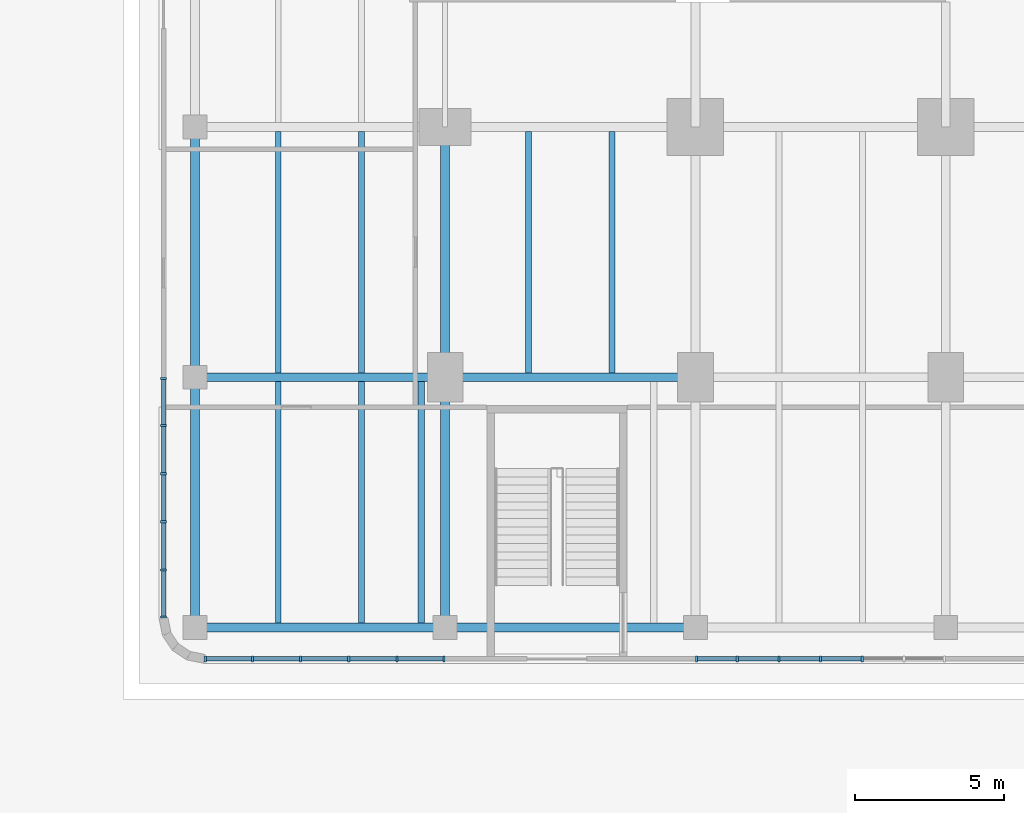
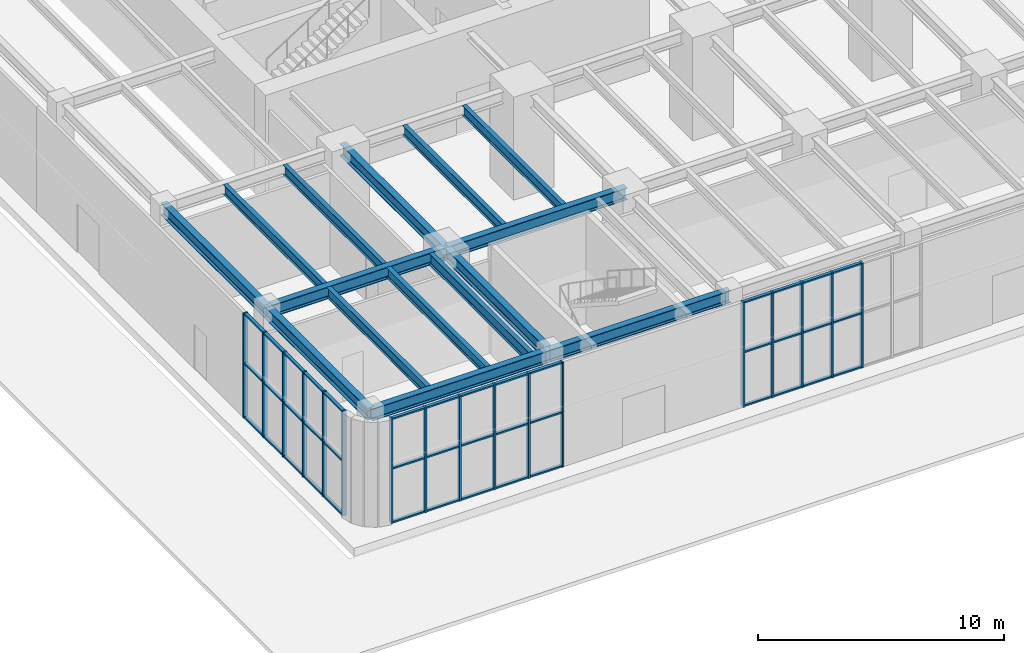
# One storey, part 2 of 31: 59 members, 15 beams, 3 elements without a shape of their own.
"""IFC4 building model written with IfcOpenShell, lengths in metres."""

from ifc_helpers import new_model, si_unit, direction, frame, origin, origin_2d, place, context, subcontext, project, spatial, rectangle, i_section, extrude, material, material_profile, profile_set, type_object, element, aggregate, save


model = new_model("IFC4")

# Units and contexts
model_context = context("Model", 3, precision=1e-05, world=origin(), true_north=direction((0.0, 1.0)))
body_context = subcontext(model_context, "Body", "Model", "MODEL_VIEW")
ifc_project = project(units=[si_unit("LENGTHUNIT", "METRE"), si_unit("AREAUNIT", "SQUARE_METRE"), si_unit("VOLUMEUNIT", "CUBIC_METRE"), si_unit("PLANEANGLEUNIT", "RADIAN"), si_unit("MASSUNIT", "GRAM", prefix="KILO")], contexts=[model_context])

# Site, building, storey
site_placement = place(None, origin())
site = spatial("IfcSite", under=ifc_project, at=site_placement, CompositionType="ELEMENT")
building_placement = place(site_placement, origin())
building = spatial("IfcBuilding", under=site, at=building_placement, Name="Claustro Exchange Tower", CompositionType="ELEMENT")
storey_placement = place(building_placement, origin())
storey = spatial("IfcBuildingStorey", under=building, at=storey_placement, Name="L00", CompositionType="ELEMENT", Elevation=0.0)

# Beams
ifc_material_1 = material(Name="Steel S355", Category="steel")
ifc_material_profile_1 = material_profile(ifc_material_1, i_section(OverallWidth=0.300048828125, OverallDepth=0.60009765625, WebThickness=0.015380859375, FlangeThickness=0.030029296875, FilletRadius=0.027099609375, at=origin_2d()), Name="HE 600 B")
ifc_profile_set_1 = profile_set([ifc_material_profile_1], Name="Steel S355")
beam_type_1 = type_object("IfcBeamType", Name="B1 HE 600 B floor girder", PredefinedType="BEAM", material=ifc_profile_set_1)
for number, where, z_axis, x_axis, name in (
    (1, (-8.39990234375, -8.39990234375, 4.89990234375), (0.0, 1.0, 0.0), (-1.0, 0.0, 0.0), "Beam B1 L01"),
    (2, (-8.39990234375, 0.0, 4.89990234375), (0.0, 1.0, 0.0), (-1.0, 0.0, 0.0), "Beam B1 L01"),
    (3, (0.0, -8.39990234375, 4.89990234375), (0.0, 1.0, 0.0), (-1.0, 0.0, 0.0), "Beam B1 L01"),
    (4, (0.0, 0.0, 4.89990234375), (0.0, 1.0, 0.0), (-1.0, 0.0, 0.0), "Beam B1 L01"),
    (5, (-8.39990234375, -8.39990234375, 4.89990234375), (1.0, 0.0, 0.0), (0.0, 1.0, 0.0), "Beam B1 L01"),
    (6, (0.0, -8.39990234375, 4.89990234375), (1.0, 0.0, 0.0), (0.0, 1.0, 0.0), "Beam B1 L01"),
    (7, (-8.39990234375, 0.0, 4.89990234375), (1.0, 0.0, 0.0), (0.0, 1.0, 0.0), "Beam B1 L01"),
    (8, (0.0, 0.0, 4.89990234375), (1.0, 0.0, 0.0), (0.0, 1.0, 0.0), "Beam B1 L01"),
):
    element("IfcBeam", number, at=place(storey_placement, frame(where, z_axis=z_axis, x_axis=x_axis)), inside=storey, type_object=beam_type_1, Name=name, PredefinedType="BEAM", context=body_context, shape_type="SweptSolid", body=[
        extrude(i_section(OverallWidth=0.300048828125, OverallDepth=0.60009765625, WebThickness=0.015380859375, FlangeThickness=0.030029296875, FilletRadius=0.027099609375, at=origin_2d()), origin(), (0.0, 0.0, 1.0), 8.39990234375),
    ])
ifc_material_2 = material(Name="Steel S355", Category="steel")
ifc_material_profile_2 = material_profile(ifc_material_2, i_section(OverallWidth=0.199951171875, OverallDepth=0.5, WebThickness=0.01025390625, FlangeThickness=0.01611328125, FilletRadius=0.02099609375, at=origin_2d()), Name="IPE 500")
ifc_profile_set_2 = profile_set([ifc_material_profile_2], Name="Steel S355")
beam_type_2 = type_object("IfcBeamType", Name="B2 IPE 500 secondary beam", PredefinedType="BEAM", material=ifc_profile_set_2)
for number, where, z_axis, x_axis, name in (
    (9, (-5.60009765625, -8.25, 4.949951171875), (0.0, 1.0, 0.0), (-1.0, 0.0, 0.0), "Beam B2 L01"),
    (10, (-2.800048828125, -8.25, 4.949951171875), (0.0, 1.0, 0.0), (-1.0, 0.0, 0.0), "Beam B2 L01"),
    (11, (-5.60009765625, 0.14990234375, 4.949951171875), (0.0, 1.0, 0.0), (-1.0, 0.0, 0.0), "Beam B2 L01"),
    (12, (-2.800048828125, 0.14990234375, 4.949951171875), (0.0, 1.0, 0.0), (-1.0, 0.0, 0.0), "Beam B2 L01"),
    (13, (2.800048828125, 0.14990234375, 4.949951171875), (0.0, 1.0, 0.0), (-1.0, 0.0, 0.0), "Beam B2 L01"),
    (14, (5.60009765625, 0.14990234375, 4.949951171875), (0.0, 1.0, 0.0), (-1.0, 0.0, 0.0), "Beam B2 L01"),
):
    element("IfcBeam", number, at=place(storey_placement, frame(where, z_axis=z_axis, x_axis=x_axis)), inside=storey, type_object=beam_type_2, Name=name, PredefinedType="BEAM", context=body_context, shape_type="SweptSolid", body=[
        extrude(i_section(OverallWidth=0.199951171875, OverallDepth=0.5, WebThickness=0.01025390625, FlangeThickness=0.01611328125, FilletRadius=0.02099609375, at=origin_2d()), origin(), (0.0, 0.0, 1.0), 8.10009765625),
    ])
ifc_material_3 = material(Name="Steel S355", Category="steel")
ifc_material_profile_3 = material_profile(ifc_material_3, i_section(OverallWidth=0.2099609375, OverallDepth=0.550048828125, WebThickness=0.010986328125, FlangeThickness=0.01708984375, FilletRadius=0.02392578125, at=origin_2d()), Name="IPE 550")
ifc_profile_set_3 = profile_set([ifc_material_profile_3], Name="Steel S355")
beam_type_3 = type_object("IfcBeamType", Name="B28 IPE 550 podium stair trimmer", PredefinedType="BEAM", material=ifc_profile_set_3)
beam_placement = place(storey_placement, frame((-0.800048828125, -8.25, 4.925048828125), z_axis=(0.0, 1.0, 0.0), x_axis=(-1.0, 0.0, 0.0)))
element("IfcBeam", 15, at=beam_placement, inside=storey, type_object=beam_type_3, Name="Beam B28 trimmer STP1 L01", PredefinedType="BEAM", context=body_context, shape_type="SweptSolid", body=[
    extrude(i_section(OverallWidth=0.2099609375, OverallDepth=0.550048828125, WebThickness=0.010986328125, FlangeThickness=0.01708984375, FilletRadius=0.02392578125, at=origin_2d()), origin(), (0.0, 0.0, 1.0), 8.10009765625),
])

# Curtain wall, members
ifc_material_4 = material(Name="Aluminium frame, clear double glazing", Category="aluminium")
curtain_wall_type = type_object("IfcCurtainWallType", Name="CW1 storefront curtain wall", PredefinedType="USERDEFINED", material=ifc_material_4)
curtain_wall_1_placement = place(storey_placement, origin())
curtain_wall_1 = element("IfcCurtainWall", 16, at=curtain_wall_1_placement, inside=storey, type_object=curtain_wall_type, Name="Curtain wall CW1 L00", ObjectType="STICK CURTAIN WALL", PredefinedType="USERDEFINED")
ifc_material_5 = material(Name="Aluminium mullion", Category="aluminium")
ifc_material_profile_4 = material_profile(ifc_material_5, rectangle(XDim=0.199951171875, YDim=0.074951171875, at=origin_2d()), Name="CW1-M 75x200")
ifc_profile_set_4 = profile_set([ifc_material_profile_4], Name="Aluminium mullion")
member_type_1 = type_object("IfcMemberType", Name="CW1-M 75 x 200 mullion", PredefinedType="MULLION", material=ifc_profile_set_4)
member_1_placement = place(storey_placement, frame((-8.047607421875, -9.449951171875, 0.0), z_axis=(0.0, 0.0, 1.0), x_axis=(0.0, 1.0, 0.0)))
member_1 = element("IfcMember", 17, at=member_1_placement, type_object=member_type_1, Name="CW1 mullion 1", PredefinedType="MULLION", context=body_context, shape_type="SweptSolid", body=[
    extrude(rectangle(XDim=0.199951171875, YDim=0.074951171875, at=origin_2d()), origin(), (0.0, 0.0, 1.0), 5.199951171875),
])
member_2_placement = place(storey_placement, frame((-6.46826171875, -9.449951171875, 0.0), z_axis=(0.0, 0.0, 1.0), x_axis=(0.0, 1.0, 0.0)))
member_2 = element("IfcMember", 18, at=member_2_placement, type_object=member_type_1, Name="CW1 mullion 2", PredefinedType="MULLION", context=body_context, shape_type="SweptSolid", body=[
    extrude(rectangle(XDim=0.199951171875, YDim=0.074951171875, at=origin_2d()), origin(), (0.0, 0.0, 1.0), 5.199951171875),
])
member_3_placement = place(storey_placement, frame((-4.85107421875, -9.449951171875, 0.0), z_axis=(0.0, 0.0, 1.0), x_axis=(0.0, 1.0, 0.0)))
member_3 = element("IfcMember", 19, at=member_3_placement, type_object=member_type_1, Name="CW1 mullion 3", PredefinedType="MULLION", context=body_context, shape_type="SweptSolid", body=[
    extrude(rectangle(XDim=0.199951171875, YDim=0.074951171875, at=origin_2d()), origin(), (0.0, 0.0, 1.0), 5.199951171875),
])
member_4_placement = place(storey_placement, frame((-3.234130859375, -9.449951171875, 0.0), z_axis=(0.0, 0.0, 1.0), x_axis=(0.0, 1.0, 0.0)))
member_4 = element("IfcMember", 20, at=member_4_placement, type_object=member_type_1, Name="CW1 mullion 4", PredefinedType="MULLION", context=body_context, shape_type="SweptSolid", body=[
    extrude(rectangle(XDim=0.199951171875, YDim=0.074951171875, at=origin_2d()), origin(), (0.0, 0.0, 1.0), 5.199951171875),
])
member_5_placement = place(storey_placement, frame((-1.616943359375, -9.449951171875, 0.0), z_axis=(0.0, 0.0, 1.0), x_axis=(0.0, 1.0, 0.0)))
member_5 = element("IfcMember", 21, at=member_5_placement, type_object=member_type_1, Name="CW1 mullion 5", PredefinedType="MULLION", context=body_context, shape_type="SweptSolid", body=[
    extrude(rectangle(XDim=0.199951171875, YDim=0.074951171875, at=origin_2d()), origin(), (0.0, 0.0, 1.0), 5.199951171875),
])
member_6_placement = place(storey_placement, frame((-0.03759765625, -9.449951171875, 0.0), z_axis=(0.0, 0.0, 1.0), x_axis=(0.0, 1.0, 0.0)))
member_6 = element("IfcMember", 22, at=member_6_placement, type_object=member_type_1, Name="CW1 mullion 6", PredefinedType="MULLION", context=body_context, shape_type="SweptSolid", body=[
    extrude(rectangle(XDim=0.199951171875, YDim=0.074951171875, at=origin_2d()), origin(), (0.0, 0.0, 1.0), 5.199951171875),
])

curtain_wall_2_placement = place(storey_placement, origin())
curtain_wall_2 = element("IfcCurtainWall", 23, at=curtain_wall_2_placement, inside=storey, type_object=curtain_wall_type, Name="Curtain wall CW1 L00", ObjectType="STICK CURTAIN WALL", PredefinedType="USERDEFINED")
member_7_placement = place(storey_placement, frame((8.4375, -9.449951171875, 0.0), z_axis=(0.0, 0.0, 1.0), x_axis=(0.0, 1.0, 0.0)))
member_7 = element("IfcMember", 24, at=member_7_placement, type_object=member_type_1, Name="CW1 mullion 1", PredefinedType="MULLION", context=body_context, shape_type="SweptSolid", body=[
    extrude(rectangle(XDim=0.199951171875, YDim=0.074951171875, at=origin_2d()), origin(), (0.0, 0.0, 1.0), 5.199951171875),
])
member_8_placement = place(storey_placement, frame((9.800048828125, -9.449951171875, 0.0), z_axis=(0.0, 0.0, 1.0), x_axis=(0.0, 1.0, 0.0)))
member_8 = element("IfcMember", 25, at=member_8_placement, type_object=member_type_1, Name="CW1 mullion 2", PredefinedType="MULLION", context=body_context, shape_type="SweptSolid", body=[
    extrude(rectangle(XDim=0.199951171875, YDim=0.074951171875, at=origin_2d()), origin(), (0.0, 0.0, 1.0), 5.199951171875),
])
member_9_placement = place(storey_placement, frame((11.199951171875, -9.449951171875, 0.0), z_axis=(0.0, 0.0, 1.0), x_axis=(0.0, 1.0, 0.0)))
member_9 = element("IfcMember", 26, at=member_9_placement, type_object=member_type_1, Name="CW1 mullion 3", PredefinedType="MULLION", context=body_context, shape_type="SweptSolid", body=[
    extrude(rectangle(XDim=0.199951171875, YDim=0.074951171875, at=origin_2d()), origin(), (0.0, 0.0, 1.0), 5.199951171875),
])
member_10_placement = place(storey_placement, frame((12.60009765625, -9.449951171875, 0.0), z_axis=(0.0, 0.0, 1.0), x_axis=(0.0, 1.0, 0.0)))
member_10 = element("IfcMember", 27, at=member_10_placement, type_object=member_type_1, Name="CW1 mullion 4", PredefinedType="MULLION", context=body_context, shape_type="SweptSolid", body=[
    extrude(rectangle(XDim=0.199951171875, YDim=0.074951171875, at=origin_2d()), origin(), (0.0, 0.0, 1.0), 5.199951171875),
])
member_11_placement = place(storey_placement, frame((14.0, -9.449951171875, 0.0), z_axis=(0.0, 0.0, 1.0), x_axis=(0.0, 1.0, 0.0)))
member_11 = element("IfcMember", 28, at=member_11_placement, type_object=member_type_1, Name="CW1 mullion 5", PredefinedType="MULLION", context=body_context, shape_type="SweptSolid", body=[
    extrude(rectangle(XDim=0.199951171875, YDim=0.074951171875, at=origin_2d()), origin(), (0.0, 0.0, 1.0), 5.199951171875),
])

curtain_wall_3_placement = place(storey_placement, origin())
curtain_wall_3 = element("IfcCurtainWall", 29, at=curtain_wall_3_placement, inside=storey, type_object=curtain_wall_type, Name="Curtain wall CW1 L00", ObjectType="STICK CURTAIN WALL", PredefinedType="USERDEFINED")
member_12_placement = place(storey_placement, frame((-9.449951171875, -8.047607421875, 0.0), z_axis=(0.0, 0.0, 1.0), x_axis=(-1.0, 0.0, 0.0)))
member_12 = element("IfcMember", 30, at=member_12_placement, type_object=member_type_1, Name="CW1 mullion 1", PredefinedType="MULLION", context=body_context, shape_type="SweptSolid", body=[
    extrude(rectangle(XDim=0.199951171875, YDim=0.074951171875, at=origin_2d()), origin(), (0.0, 0.0, 1.0), 5.199951171875),
])
member_13_placement = place(storey_placement, frame((-9.449951171875, -6.46826171875, 0.0), z_axis=(0.0, 0.0, 1.0), x_axis=(-1.0, 0.0, 0.0)))
member_13 = element("IfcMember", 31, at=member_13_placement, type_object=member_type_1, Name="CW1 mullion 2", PredefinedType="MULLION", context=body_context, shape_type="SweptSolid", body=[
    extrude(rectangle(XDim=0.199951171875, YDim=0.074951171875, at=origin_2d()), origin(), (0.0, 0.0, 1.0), 5.199951171875),
])
member_14_placement = place(storey_placement, frame((-9.449951171875, -4.85107421875, 0.0), z_axis=(0.0, 0.0, 1.0), x_axis=(-1.0, 0.0, 0.0)))
member_14 = element("IfcMember", 32, at=member_14_placement, type_object=member_type_1, Name="CW1 mullion 3", PredefinedType="MULLION", context=body_context, shape_type="SweptSolid", body=[
    extrude(rectangle(XDim=0.199951171875, YDim=0.074951171875, at=origin_2d()), origin(), (0.0, 0.0, 1.0), 5.199951171875),
])
member_15_placement = place(storey_placement, frame((-9.449951171875, -3.234130859375, 0.0), z_axis=(0.0, 0.0, 1.0), x_axis=(-1.0, 0.0, 0.0)))
member_15 = element("IfcMember", 33, at=member_15_placement, type_object=member_type_1, Name="CW1 mullion 4", PredefinedType="MULLION", context=body_context, shape_type="SweptSolid", body=[
    extrude(rectangle(XDim=0.199951171875, YDim=0.074951171875, at=origin_2d()), origin(), (0.0, 0.0, 1.0), 5.199951171875),
])
member_16_placement = place(storey_placement, frame((-9.449951171875, -1.616943359375, 0.0), z_axis=(0.0, 0.0, 1.0), x_axis=(-1.0, 0.0, 0.0)))
member_16 = element("IfcMember", 34, at=member_16_placement, type_object=member_type_1, Name="CW1 mullion 5", PredefinedType="MULLION", context=body_context, shape_type="SweptSolid", body=[
    extrude(rectangle(XDim=0.199951171875, YDim=0.074951171875, at=origin_2d()), origin(), (0.0, 0.0, 1.0), 5.199951171875),
])
member_17_placement = place(storey_placement, frame((-9.449951171875, -0.03759765625, 0.0), z_axis=(0.0, 0.0, 1.0), x_axis=(-1.0, 0.0, 0.0)))
member_17 = element("IfcMember", 35, at=member_17_placement, type_object=member_type_1, Name="CW1 mullion 6", PredefinedType="MULLION", context=body_context, shape_type="SweptSolid", body=[
    extrude(rectangle(XDim=0.199951171875, YDim=0.074951171875, at=origin_2d()), origin(), (0.0, 0.0, 1.0), 5.199951171875),
])

# Member
ifc_material_6 = material(Name="Aluminium transom", Category="aluminium")
ifc_material_profile_5 = material_profile(ifc_material_6, rectangle(XDim=0.14990234375, YDim=0.074951171875, at=origin_2d()), Name="CW1-T 75x150")
ifc_profile_set_5 = profile_set([ifc_material_profile_5], Name="Aluminium transom")
member_type_2 = type_object("IfcMemberType", Name="CW1-T 75 x 150 transom", PredefinedType="USERDEFINED", material=ifc_profile_set_5)
member_18_placement = place(storey_placement, frame((-8.01025390625, -9.449951171875, 0.03759765625), z_axis=(1.0, 0.0, 0.0), x_axis=(0.0, 1.0, 0.0)))
member_18 = element("IfcMember", 36, at=member_18_placement, type_object=member_type_2, Name="CW1 transom 1.1", ObjectType="TRANSOM", PredefinedType="USERDEFINED", context=body_context, shape_type="SweptSolid", body=[
    extrude(rectangle(XDim=0.14990234375, YDim=0.074951171875, at=origin_2d()), origin(), (0.0, 0.0, 1.0), 1.504638671875),
])

member_19_placement = place(storey_placement, frame((-8.01025390625, -9.449951171875, 2.699951171875), z_axis=(1.0, 0.0, 0.0), x_axis=(0.0, 1.0, 0.0)))
member_19 = element("IfcMember", 37, at=member_19_placement, type_object=member_type_2, Name="CW1 transom 1.2", ObjectType="TRANSOM", PredefinedType="USERDEFINED", context=body_context, shape_type="SweptSolid", body=[
    extrude(rectangle(XDim=0.14990234375, YDim=0.074951171875, at=origin_2d()), origin(), (0.0, 0.0, 1.0), 1.504638671875),
])

member_20_placement = place(storey_placement, frame((-8.01025390625, -9.449951171875, 5.16259765625), z_axis=(1.0, 0.0, 0.0), x_axis=(0.0, 1.0, 0.0)))
member_20 = element("IfcMember", 38, at=member_20_placement, type_object=member_type_2, Name="CW1 transom 1.3", ObjectType="TRANSOM", PredefinedType="USERDEFINED", context=body_context, shape_type="SweptSolid", body=[
    extrude(rectangle(XDim=0.14990234375, YDim=0.074951171875, at=origin_2d()), origin(), (0.0, 0.0, 1.0), 1.504638671875),
])

member_21_placement = place(storey_placement, frame((-6.4306640625, -9.449951171875, 0.03759765625), z_axis=(1.0, 0.0, 0.0), x_axis=(0.0, 1.0, 0.0)))
member_21 = element("IfcMember", 39, at=member_21_placement, type_object=member_type_2, Name="CW1 transom 2.1", ObjectType="TRANSOM", PredefinedType="USERDEFINED", context=body_context, shape_type="SweptSolid", body=[
    extrude(rectangle(XDim=0.14990234375, YDim=0.074951171875, at=origin_2d()), origin(), (0.0, 0.0, 1.0), 1.5419921875),
])

member_22_placement = place(storey_placement, frame((-6.4306640625, -9.449951171875, 2.699951171875), z_axis=(1.0, 0.0, 0.0), x_axis=(0.0, 1.0, 0.0)))
member_22 = element("IfcMember", 40, at=member_22_placement, type_object=member_type_2, Name="CW1 transom 2.2", ObjectType="TRANSOM", PredefinedType="USERDEFINED", context=body_context, shape_type="SweptSolid", body=[
    extrude(rectangle(XDim=0.14990234375, YDim=0.074951171875, at=origin_2d()), origin(), (0.0, 0.0, 1.0), 1.5419921875),
])

member_23_placement = place(storey_placement, frame((-6.4306640625, -9.449951171875, 5.16259765625), z_axis=(1.0, 0.0, 0.0), x_axis=(0.0, 1.0, 0.0)))
member_23 = element("IfcMember", 41, at=member_23_placement, type_object=member_type_2, Name="CW1 transom 2.3", ObjectType="TRANSOM", PredefinedType="USERDEFINED", context=body_context, shape_type="SweptSolid", body=[
    extrude(rectangle(XDim=0.14990234375, YDim=0.074951171875, at=origin_2d()), origin(), (0.0, 0.0, 1.0), 1.5419921875),
])

member_24_placement = place(storey_placement, frame((-4.813720703125, -9.449951171875, 0.03759765625), z_axis=(1.0, 0.0, 0.0), x_axis=(0.0, 1.0, 0.0)))
member_24 = element("IfcMember", 42, at=member_24_placement, type_object=member_type_2, Name="CW1 transom 3.1", ObjectType="TRANSOM", PredefinedType="USERDEFINED", context=body_context, shape_type="SweptSolid", body=[
    extrude(rectangle(XDim=0.14990234375, YDim=0.074951171875, at=origin_2d()), origin(), (0.0, 0.0, 1.0), 1.542236328125),
])

member_25_placement = place(storey_placement, frame((-4.813720703125, -9.449951171875, 2.699951171875), z_axis=(1.0, 0.0, 0.0), x_axis=(0.0, 1.0, 0.0)))
member_25 = element("IfcMember", 43, at=member_25_placement, type_object=member_type_2, Name="CW1 transom 3.2", ObjectType="TRANSOM", PredefinedType="USERDEFINED", context=body_context, shape_type="SweptSolid", body=[
    extrude(rectangle(XDim=0.14990234375, YDim=0.074951171875, at=origin_2d()), origin(), (0.0, 0.0, 1.0), 1.542236328125),
])

member_26_placement = place(storey_placement, frame((-4.813720703125, -9.449951171875, 5.16259765625), z_axis=(1.0, 0.0, 0.0), x_axis=(0.0, 1.0, 0.0)))
member_26 = element("IfcMember", 44, at=member_26_placement, type_object=member_type_2, Name="CW1 transom 3.3", ObjectType="TRANSOM", PredefinedType="USERDEFINED", context=body_context, shape_type="SweptSolid", body=[
    extrude(rectangle(XDim=0.14990234375, YDim=0.074951171875, at=origin_2d()), origin(), (0.0, 0.0, 1.0), 1.542236328125),
])

member_27_placement = place(storey_placement, frame((-3.196533203125, -9.449951171875, 0.03759765625), z_axis=(1.0, 0.0, 0.0), x_axis=(0.0, 1.0, 0.0)))
member_27 = element("IfcMember", 45, at=member_27_placement, type_object=member_type_2, Name="CW1 transom 4.1", ObjectType="TRANSOM", PredefinedType="USERDEFINED", context=body_context, shape_type="SweptSolid", body=[
    extrude(rectangle(XDim=0.14990234375, YDim=0.074951171875, at=origin_2d()), origin(), (0.0, 0.0, 1.0), 1.5419921875),
])

member_28_placement = place(storey_placement, frame((-3.196533203125, -9.449951171875, 2.699951171875), z_axis=(1.0, 0.0, 0.0), x_axis=(0.0, 1.0, 0.0)))
member_28 = element("IfcMember", 46, at=member_28_placement, type_object=member_type_2, Name="CW1 transom 4.2", ObjectType="TRANSOM", PredefinedType="USERDEFINED", context=body_context, shape_type="SweptSolid", body=[
    extrude(rectangle(XDim=0.14990234375, YDim=0.074951171875, at=origin_2d()), origin(), (0.0, 0.0, 1.0), 1.5419921875),
])

member_29_placement = place(storey_placement, frame((-3.196533203125, -9.449951171875, 5.16259765625), z_axis=(1.0, 0.0, 0.0), x_axis=(0.0, 1.0, 0.0)))
member_29 = element("IfcMember", 47, at=member_29_placement, type_object=member_type_2, Name="CW1 transom 4.3", ObjectType="TRANSOM", PredefinedType="USERDEFINED", context=body_context, shape_type="SweptSolid", body=[
    extrude(rectangle(XDim=0.14990234375, YDim=0.074951171875, at=origin_2d()), origin(), (0.0, 0.0, 1.0), 1.5419921875),
])

member_30_placement = place(storey_placement, frame((-1.57958984375, -9.449951171875, 0.03759765625), z_axis=(1.0, 0.0, 0.0), x_axis=(0.0, 1.0, 0.0)))
member_30 = element("IfcMember", 48, at=member_30_placement, type_object=member_type_2, Name="CW1 transom 5.1", ObjectType="TRANSOM", PredefinedType="USERDEFINED", context=body_context, shape_type="SweptSolid", body=[
    extrude(rectangle(XDim=0.14990234375, YDim=0.074951171875, at=origin_2d()), origin(), (0.0, 0.0, 1.0), 1.504638671875),
])

member_31_placement = place(storey_placement, frame((-1.57958984375, -9.449951171875, 2.699951171875), z_axis=(1.0, 0.0, 0.0), x_axis=(0.0, 1.0, 0.0)))
member_31 = element("IfcMember", 49, at=member_31_placement, type_object=member_type_2, Name="CW1 transom 5.2", ObjectType="TRANSOM", PredefinedType="USERDEFINED", context=body_context, shape_type="SweptSolid", body=[
    extrude(rectangle(XDim=0.14990234375, YDim=0.074951171875, at=origin_2d()), origin(), (0.0, 0.0, 1.0), 1.504638671875),
])

member_32_placement = place(storey_placement, frame((-1.57958984375, -9.449951171875, 5.16259765625), z_axis=(1.0, 0.0, 0.0), x_axis=(0.0, 1.0, 0.0)))
member_32 = element("IfcMember", 50, at=member_32_placement, type_object=member_type_2, Name="CW1 transom 5.3", ObjectType="TRANSOM", PredefinedType="USERDEFINED", context=body_context, shape_type="SweptSolid", body=[
    extrude(rectangle(XDim=0.14990234375, YDim=0.074951171875, at=origin_2d()), origin(), (0.0, 0.0, 1.0), 1.504638671875),
])

aggregate(curtain_wall_1, [member_1, member_2, member_3, member_4, member_5, member_6, member_18, member_19, member_20, member_21, member_22, member_23, member_24, member_25, member_26, member_27, member_28, member_29, member_30, member_31, member_32])

member_33_placement = place(storey_placement, frame((8.47509765625, -9.449951171875, 0.03759765625), z_axis=(1.0, 0.0, 0.0), x_axis=(0.0, 1.0, 0.0)))
member_33 = element("IfcMember", 51, at=member_33_placement, type_object=member_type_2, Name="CW1 transom 1.1", ObjectType="TRANSOM", PredefinedType="USERDEFINED", context=body_context, shape_type="SweptSolid", body=[
    extrude(rectangle(XDim=0.14990234375, YDim=0.074951171875, at=origin_2d()), origin(), (0.0, 0.0, 1.0), 1.287353515625),
])

member_34_placement = place(storey_placement, frame((8.47509765625, -9.449951171875, 2.699951171875), z_axis=(1.0, 0.0, 0.0), x_axis=(0.0, 1.0, 0.0)))
member_34 = element("IfcMember", 52, at=member_34_placement, type_object=member_type_2, Name="CW1 transom 1.2", ObjectType="TRANSOM", PredefinedType="USERDEFINED", context=body_context, shape_type="SweptSolid", body=[
    extrude(rectangle(XDim=0.14990234375, YDim=0.074951171875, at=origin_2d()), origin(), (0.0, 0.0, 1.0), 1.287353515625),
])

member_35_placement = place(storey_placement, frame((8.47509765625, -9.449951171875, 5.16259765625), z_axis=(1.0, 0.0, 0.0), x_axis=(0.0, 1.0, 0.0)))
member_35 = element("IfcMember", 53, at=member_35_placement, type_object=member_type_2, Name="CW1 transom 1.3", ObjectType="TRANSOM", PredefinedType="USERDEFINED", context=body_context, shape_type="SweptSolid", body=[
    extrude(rectangle(XDim=0.14990234375, YDim=0.074951171875, at=origin_2d()), origin(), (0.0, 0.0, 1.0), 1.287353515625),
])

member_36_placement = place(storey_placement, frame((9.83740234375, -9.449951171875, 0.03759765625), z_axis=(1.0, 0.0, 0.0), x_axis=(0.0, 1.0, 0.0)))
member_36 = element("IfcMember", 54, at=member_36_placement, type_object=member_type_2, Name="CW1 transom 2.1", ObjectType="TRANSOM", PredefinedType="USERDEFINED", context=body_context, shape_type="SweptSolid", body=[
    extrude(rectangle(XDim=0.14990234375, YDim=0.074951171875, at=origin_2d()), origin(), (0.0, 0.0, 1.0), 1.3251953125),
])

member_37_placement = place(storey_placement, frame((9.83740234375, -9.449951171875, 2.699951171875), z_axis=(1.0, 0.0, 0.0), x_axis=(0.0, 1.0, 0.0)))
member_37 = element("IfcMember", 55, at=member_37_placement, type_object=member_type_2, Name="CW1 transom 2.2", ObjectType="TRANSOM", PredefinedType="USERDEFINED", context=body_context, shape_type="SweptSolid", body=[
    extrude(rectangle(XDim=0.14990234375, YDim=0.074951171875, at=origin_2d()), origin(), (0.0, 0.0, 1.0), 1.3251953125),
])

member_38_placement = place(storey_placement, frame((9.83740234375, -9.449951171875, 5.16259765625), z_axis=(1.0, 0.0, 0.0), x_axis=(0.0, 1.0, 0.0)))
member_38 = element("IfcMember", 56, at=member_38_placement, type_object=member_type_2, Name="CW1 transom 2.3", ObjectType="TRANSOM", PredefinedType="USERDEFINED", context=body_context, shape_type="SweptSolid", body=[
    extrude(rectangle(XDim=0.14990234375, YDim=0.074951171875, at=origin_2d()), origin(), (0.0, 0.0, 1.0), 1.3251953125),
])

member_39_placement = place(storey_placement, frame((11.237548828125, -9.449951171875, 0.03759765625), z_axis=(1.0, 0.0, 0.0), x_axis=(0.0, 1.0, 0.0)))
member_39 = element("IfcMember", 57, at=member_39_placement, type_object=member_type_2, Name="CW1 transom 3.1", ObjectType="TRANSOM", PredefinedType="USERDEFINED", context=body_context, shape_type="SweptSolid", body=[
    extrude(rectangle(XDim=0.14990234375, YDim=0.074951171875, at=origin_2d()), origin(), (0.0, 0.0, 1.0), 1.324951171875),
])

member_40_placement = place(storey_placement, frame((11.237548828125, -9.449951171875, 2.699951171875), z_axis=(1.0, 0.0, 0.0), x_axis=(0.0, 1.0, 0.0)))
member_40 = element("IfcMember", 58, at=member_40_placement, type_object=member_type_2, Name="CW1 transom 3.2", ObjectType="TRANSOM", PredefinedType="USERDEFINED", context=body_context, shape_type="SweptSolid", body=[
    extrude(rectangle(XDim=0.14990234375, YDim=0.074951171875, at=origin_2d()), origin(), (0.0, 0.0, 1.0), 1.324951171875),
])

member_41_placement = place(storey_placement, frame((11.237548828125, -9.449951171875, 5.16259765625), z_axis=(1.0, 0.0, 0.0), x_axis=(0.0, 1.0, 0.0)))
member_41 = element("IfcMember", 59, at=member_41_placement, type_object=member_type_2, Name="CW1 transom 3.3", ObjectType="TRANSOM", PredefinedType="USERDEFINED", context=body_context, shape_type="SweptSolid", body=[
    extrude(rectangle(XDim=0.14990234375, YDim=0.074951171875, at=origin_2d()), origin(), (0.0, 0.0, 1.0), 1.324951171875),
])

member_42_placement = place(storey_placement, frame((12.637451171875, -9.449951171875, 0.03759765625), z_axis=(1.0, 0.0, 0.0), x_axis=(0.0, 1.0, 0.0)))
member_42 = element("IfcMember", 60, at=member_42_placement, type_object=member_type_2, Name="CW1 transom 4.1", ObjectType="TRANSOM", PredefinedType="USERDEFINED", context=body_context, shape_type="SweptSolid", body=[
    extrude(rectangle(XDim=0.14990234375, YDim=0.074951171875, at=origin_2d()), origin(), (0.0, 0.0, 1.0), 1.324951171875),
])

member_43_placement = place(storey_placement, frame((12.637451171875, -9.449951171875, 2.699951171875), z_axis=(1.0, 0.0, 0.0), x_axis=(0.0, 1.0, 0.0)))
member_43 = element("IfcMember", 61, at=member_43_placement, type_object=member_type_2, Name="CW1 transom 4.2", ObjectType="TRANSOM", PredefinedType="USERDEFINED", context=body_context, shape_type="SweptSolid", body=[
    extrude(rectangle(XDim=0.14990234375, YDim=0.074951171875, at=origin_2d()), origin(), (0.0, 0.0, 1.0), 1.324951171875),
])

member_44_placement = place(storey_placement, frame((12.637451171875, -9.449951171875, 5.16259765625), z_axis=(1.0, 0.0, 0.0), x_axis=(0.0, 1.0, 0.0)))
member_44 = element("IfcMember", 62, at=member_44_placement, type_object=member_type_2, Name="CW1 transom 4.3", ObjectType="TRANSOM", PredefinedType="USERDEFINED", context=body_context, shape_type="SweptSolid", body=[
    extrude(rectangle(XDim=0.14990234375, YDim=0.074951171875, at=origin_2d()), origin(), (0.0, 0.0, 1.0), 1.324951171875),
])

aggregate(curtain_wall_2, [member_7, member_8, member_9, member_10, member_11, member_33, member_34, member_35, member_36, member_37, member_38, member_39, member_40, member_41, member_42, member_43, member_44])

member_45_placement = place(storey_placement, frame((-9.449951171875, -8.01025390625, 0.03759765625), z_axis=(0.0, 1.0, 0.0), x_axis=(-1.0, 0.0, 0.0)))
member_45 = element("IfcMember", 63, at=member_45_placement, type_object=member_type_2, Name="CW1 transom 1.1", ObjectType="TRANSOM", PredefinedType="USERDEFINED", context=body_context, shape_type="SweptSolid", body=[
    extrude(rectangle(XDim=0.14990234375, YDim=0.074951171875, at=origin_2d()), origin(), (0.0, 0.0, 1.0), 1.504638671875),
])

member_46_placement = place(storey_placement, frame((-9.449951171875, -8.01025390625, 2.699951171875), z_axis=(0.0, 1.0, 0.0), x_axis=(-1.0, 0.0, 0.0)))
member_46 = element("IfcMember", 64, at=member_46_placement, type_object=member_type_2, Name="CW1 transom 1.2", ObjectType="TRANSOM", PredefinedType="USERDEFINED", context=body_context, shape_type="SweptSolid", body=[
    extrude(rectangle(XDim=0.14990234375, YDim=0.074951171875, at=origin_2d()), origin(), (0.0, 0.0, 1.0), 1.504638671875),
])

member_47_placement = place(storey_placement, frame((-9.449951171875, -8.01025390625, 5.16259765625), z_axis=(0.0, 1.0, 0.0), x_axis=(-1.0, 0.0, 0.0)))
member_47 = element("IfcMember", 65, at=member_47_placement, type_object=member_type_2, Name="CW1 transom 1.3", ObjectType="TRANSOM", PredefinedType="USERDEFINED", context=body_context, shape_type="SweptSolid", body=[
    extrude(rectangle(XDim=0.14990234375, YDim=0.074951171875, at=origin_2d()), origin(), (0.0, 0.0, 1.0), 1.504638671875),
])

member_48_placement = place(storey_placement, frame((-9.449951171875, -6.4306640625, 0.03759765625), z_axis=(0.0, 1.0, 0.0), x_axis=(-1.0, 0.0, 0.0)))
member_48 = element("IfcMember", 66, at=member_48_placement, type_object=member_type_2, Name="CW1 transom 2.1", ObjectType="TRANSOM", PredefinedType="USERDEFINED", context=body_context, shape_type="SweptSolid", body=[
    extrude(rectangle(XDim=0.14990234375, YDim=0.074951171875, at=origin_2d()), origin(), (0.0, 0.0, 1.0), 1.5419921875),
])

member_49_placement = place(storey_placement, frame((-9.449951171875, -6.4306640625, 2.699951171875), z_axis=(0.0, 1.0, 0.0), x_axis=(-1.0, 0.0, 0.0)))
member_49 = element("IfcMember", 67, at=member_49_placement, type_object=member_type_2, Name="CW1 transom 2.2", ObjectType="TRANSOM", PredefinedType="USERDEFINED", context=body_context, shape_type="SweptSolid", body=[
    extrude(rectangle(XDim=0.14990234375, YDim=0.074951171875, at=origin_2d()), origin(), (0.0, 0.0, 1.0), 1.5419921875),
])

member_50_placement = place(storey_placement, frame((-9.449951171875, -6.4306640625, 5.16259765625), z_axis=(0.0, 1.0, 0.0), x_axis=(-1.0, 0.0, 0.0)))
member_50 = element("IfcMember", 68, at=member_50_placement, type_object=member_type_2, Name="CW1 transom 2.3", ObjectType="TRANSOM", PredefinedType="USERDEFINED", context=body_context, shape_type="SweptSolid", body=[
    extrude(rectangle(XDim=0.14990234375, YDim=0.074951171875, at=origin_2d()), origin(), (0.0, 0.0, 1.0), 1.5419921875),
])

member_51_placement = place(storey_placement, frame((-9.449951171875, -4.813720703125, 0.03759765625), z_axis=(0.0, 1.0, 0.0), x_axis=(-1.0, 0.0, 0.0)))
member_51 = element("IfcMember", 69, at=member_51_placement, type_object=member_type_2, Name="CW1 transom 3.1", ObjectType="TRANSOM", PredefinedType="USERDEFINED", context=body_context, shape_type="SweptSolid", body=[
    extrude(rectangle(XDim=0.14990234375, YDim=0.074951171875, at=origin_2d()), origin(), (0.0, 0.0, 1.0), 1.542236328125),
])

member_52_placement = place(storey_placement, frame((-9.449951171875, -4.813720703125, 2.699951171875), z_axis=(0.0, 1.0, 0.0), x_axis=(-1.0, 0.0, 0.0)))
member_52 = element("IfcMember", 70, at=member_52_placement, type_object=member_type_2, Name="CW1 transom 3.2", ObjectType="TRANSOM", PredefinedType="USERDEFINED", context=body_context, shape_type="SweptSolid", body=[
    extrude(rectangle(XDim=0.14990234375, YDim=0.074951171875, at=origin_2d()), origin(), (0.0, 0.0, 1.0), 1.542236328125),
])

member_53_placement = place(storey_placement, frame((-9.449951171875, -4.813720703125, 5.16259765625), z_axis=(0.0, 1.0, 0.0), x_axis=(-1.0, 0.0, 0.0)))
member_53 = element("IfcMember", 71, at=member_53_placement, type_object=member_type_2, Name="CW1 transom 3.3", ObjectType="TRANSOM", PredefinedType="USERDEFINED", context=body_context, shape_type="SweptSolid", body=[
    extrude(rectangle(XDim=0.14990234375, YDim=0.074951171875, at=origin_2d()), origin(), (0.0, 0.0, 1.0), 1.542236328125),
])

member_54_placement = place(storey_placement, frame((-9.449951171875, -3.196533203125, 0.03759765625), z_axis=(0.0, 1.0, 0.0), x_axis=(-1.0, 0.0, 0.0)))
member_54 = element("IfcMember", 72, at=member_54_placement, type_object=member_type_2, Name="CW1 transom 4.1", ObjectType="TRANSOM", PredefinedType="USERDEFINED", context=body_context, shape_type="SweptSolid", body=[
    extrude(rectangle(XDim=0.14990234375, YDim=0.074951171875, at=origin_2d()), origin(), (0.0, 0.0, 1.0), 1.5419921875),
])

member_55_placement = place(storey_placement, frame((-9.449951171875, -3.196533203125, 2.699951171875), z_axis=(0.0, 1.0, 0.0), x_axis=(-1.0, 0.0, 0.0)))
member_55 = element("IfcMember", 73, at=member_55_placement, type_object=member_type_2, Name="CW1 transom 4.2", ObjectType="TRANSOM", PredefinedType="USERDEFINED", context=body_context, shape_type="SweptSolid", body=[
    extrude(rectangle(XDim=0.14990234375, YDim=0.074951171875, at=origin_2d()), origin(), (0.0, 0.0, 1.0), 1.5419921875),
])

member_56_placement = place(storey_placement, frame((-9.449951171875, -3.196533203125, 5.16259765625), z_axis=(0.0, 1.0, 0.0), x_axis=(-1.0, 0.0, 0.0)))
member_56 = element("IfcMember", 74, at=member_56_placement, type_object=member_type_2, Name="CW1 transom 4.3", ObjectType="TRANSOM", PredefinedType="USERDEFINED", context=body_context, shape_type="SweptSolid", body=[
    extrude(rectangle(XDim=0.14990234375, YDim=0.074951171875, at=origin_2d()), origin(), (0.0, 0.0, 1.0), 1.5419921875),
])

member_57_placement = place(storey_placement, frame((-9.449951171875, -1.57958984375, 0.03759765625), z_axis=(0.0, 1.0, 0.0), x_axis=(-1.0, 0.0, 0.0)))
member_57 = element("IfcMember", 75, at=member_57_placement, type_object=member_type_2, Name="CW1 transom 5.1", ObjectType="TRANSOM", PredefinedType="USERDEFINED", context=body_context, shape_type="SweptSolid", body=[
    extrude(rectangle(XDim=0.14990234375, YDim=0.074951171875, at=origin_2d()), origin(), (0.0, 0.0, 1.0), 1.504638671875),
])

member_58_placement = place(storey_placement, frame((-9.449951171875, -1.57958984375, 2.699951171875), z_axis=(0.0, 1.0, 0.0), x_axis=(-1.0, 0.0, 0.0)))
member_58 = element("IfcMember", 76, at=member_58_placement, type_object=member_type_2, Name="CW1 transom 5.2", ObjectType="TRANSOM", PredefinedType="USERDEFINED", context=body_context, shape_type="SweptSolid", body=[
    extrude(rectangle(XDim=0.14990234375, YDim=0.074951171875, at=origin_2d()), origin(), (0.0, 0.0, 1.0), 1.504638671875),
])

member_59_placement = place(storey_placement, frame((-9.449951171875, -1.57958984375, 5.16259765625), z_axis=(0.0, 1.0, 0.0), x_axis=(-1.0, 0.0, 0.0)))
member_59 = element("IfcMember", 77, at=member_59_placement, type_object=member_type_2, Name="CW1 transom 5.3", ObjectType="TRANSOM", PredefinedType="USERDEFINED", context=body_context, shape_type="SweptSolid", body=[
    extrude(rectangle(XDim=0.14990234375, YDim=0.074951171875, at=origin_2d()), origin(), (0.0, 0.0, 1.0), 1.504638671875),
])

aggregate(curtain_wall_3, [member_12, member_13, member_14, member_15, member_16, member_17, member_45, member_46, member_47, member_48, member_49, member_50, member_51, member_52, member_53, member_54, member_55, member_56, member_57, member_58, member_59])

save(model, "model.ifc")
